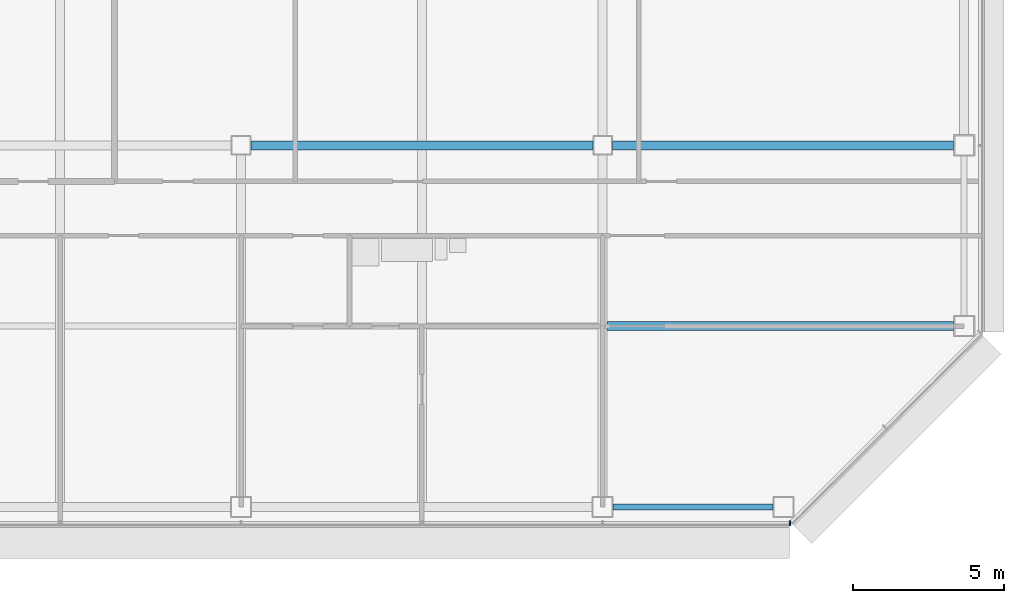
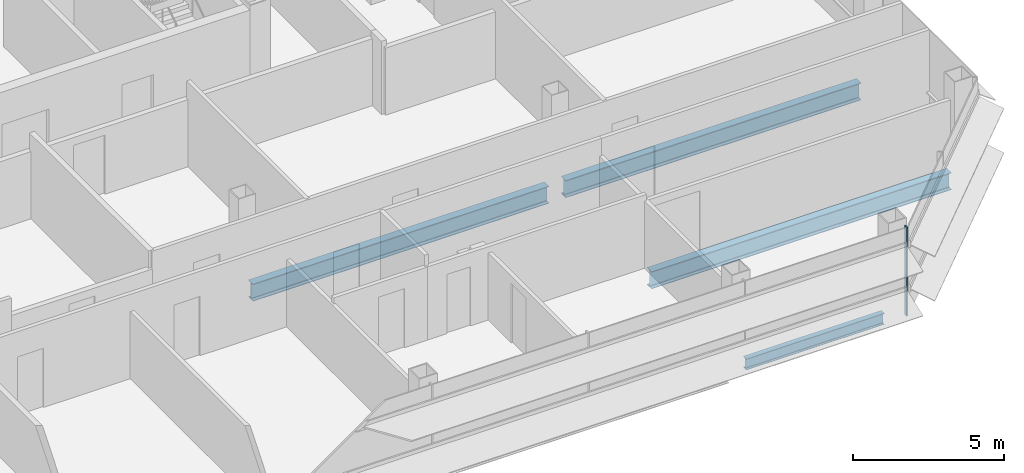
# One storey, part 9 of 26: 4 beams, 1 member, 1 element without a shape of its own.
"""IFC4 building model written with IfcOpenShell, lengths in metres."""

from ifc_helpers import new_model, si_unit, direction, frame, origin, origin_2d, place, context, subcontext, project, spatial, rectangle, i_section, extrude, material, material_profile, profile_set, type_object, element, aggregate, save


model = new_model("IFC4")

# Units and contexts
model_context = context("Model", 3, precision=1e-05, world=origin(), true_north=direction((0.0, 1.0)))
body_context = subcontext(model_context, "Body", "Model", "MODEL_VIEW")
ifc_project = project(units=[si_unit("LENGTHUNIT", "METRE"), si_unit("AREAUNIT", "SQUARE_METRE"), si_unit("VOLUMEUNIT", "CUBIC_METRE"), si_unit("PLANEANGLEUNIT", "RADIAN"), si_unit("MASSUNIT", "GRAM", prefix="KILO")], contexts=[model_context])

# Site, building, storey
site_placement = place(None, origin())
site = spatial("IfcSite", under=ifc_project, at=site_placement, CompositionType="ELEMENT")
building_placement = place(site_placement, origin())
building = spatial("IfcBuilding", under=site, at=building_placement, Name="Sorahane Residences", CompositionType="ELEMENT")
storey_placement = place(building_placement, frame((0.0, 0.0, 154.60009765625)))
storey = spatial("IfcBuildingStorey", under=building, at=storey_placement, Name="L35", CompositionType="ELEMENT", Elevation=154.60009765625)

# Curtain wall, member
ifc_material_1 = material(Name="Dark low-e glass and black anodised aluminium", Category="aluminium")
curtain_wall_type = type_object("IfcCurtainWallType", Name="Curtain wall CW-1 Typical unitised wall", PredefinedType="NOTDEFINED", material=ifc_material_1)
curtain_wall_placement = place(storey_placement, origin())
curtain_wall = element("IfcCurtainWall", 1, at=curtain_wall_placement, inside=storey, type_object=curtain_wall_type, Name="CW-1 curtain wall L35 S1", PredefinedType="NOTDEFINED")
ifc_material_2 = material(Name="Black anodised aluminium", Category="aluminium")
ifc_material_profile_1 = material_profile(ifc_material_2, rectangle(XDim=0.159912109375, YDim=0.050048828125, at=origin_2d()), Name="Curtain wall mullion CW-1 black anodised aluminium 50x160")
ifc_profile_set_1 = profile_set([ifc_material_profile_1], Name="Black anodised aluminium")
member_type = type_object("IfcMemberType", Name="Curtain wall mullion CW-1 black anodised aluminium 50x160", PredefinedType="MULLION", material=ifc_profile_set_1)
member_placement = place(storey_placement, frame((54.2236328125, -0.5400390625, -0.18017578125), z_axis=(0.0, 0.0, 1.0), x_axis=(0.0, -1.0, 0.0)))
member = element("IfcMember", 2, at=member_placement, type_object=member_type, Name="CW-1 mullion L35 S1.10", PredefinedType="MULLION", context=body_context, shape_type="SweptSolid", body=[
    extrude(rectangle(XDim=0.159912109375, YDim=0.050048828125, at=origin_2d()), origin(), (0.0, 0.0, 1.0), 3.60009765625),
])
aggregate(curtain_wall, [member])

# Beams
ifc_material_3 = material(Name="Steel Q355B", Category="steel")
ifc_material_profile_2 = material_profile(ifc_material_3, i_section(OverallWidth=0.199951171875, OverallDepth=0.449951171875, WebThickness=0.009033203125, FlangeThickness=0.013916015625, FilletRadius=0.02001953125, at=origin_2d()), Name="HN 450x200x9x14")
ifc_profile_set_2 = profile_set([ifc_material_profile_2], Name="Steel Q355B")
beam_type_1 = type_object("IfcBeamType", Name="Steel floor beam HN 450x200x9x14 Q355B", PredefinedType="BEAM", material=ifc_profile_set_2)
beam_1_placement = place(storey_placement, frame((48.35009765625, 0.0, -0.405029296875), z_axis=(1.0, 0.0, 0.0), x_axis=(0.0, 1.0, 0.0)))
element("IfcBeam", 3, at=beam_1_placement, inside=storey, type_object=beam_type_1, Name="Beam L35 004", PredefinedType="BEAM", context=body_context, shape_type="SweptSolid", body=[
    extrude(i_section(OverallWidth=0.199951171875, OverallDepth=0.449951171875, WebThickness=0.009033203125, FlangeThickness=0.013916015625, FilletRadius=0.02001953125, at=origin_2d()), origin(), (0.0, 0.0, 1.0), 5.2998046875),
])
ifc_material_4 = material(Name="Steel Q355B", Category="steel")
ifc_material_profile_3 = material_profile(ifc_material_4, i_section(OverallWidth=0.300048828125, OverallDepth=0.699951171875, WebThickness=0.012939453125, FlangeThickness=0.02392578125, FilletRadius=0.028076171875, at=origin_2d()), Name="HN 700x300x13x24")
ifc_profile_set_3 = profile_set([ifc_material_profile_3], Name="Steel Q355B")
beam_type_2 = type_object("IfcBeamType", Name="Steel floor beam HN 700x300x13x24 Q355B", PredefinedType="BEAM", material=ifc_profile_set_3)
beam_2_placement = place(storey_placement, frame((36.324951171875, 12.0, -0.530029296875), z_axis=(1.0, 0.0, 0.0), x_axis=(0.0, 1.0, 0.0)))
element("IfcBeam", 4, at=beam_2_placement, inside=storey, type_object=beam_type_2, Name="Beam L35 009", PredefinedType="BEAM", context=body_context, shape_type="SweptSolid", body=[
    extrude(i_section(OverallWidth=0.300048828125, OverallDepth=0.699951171875, WebThickness=0.012939453125, FlangeThickness=0.02392578125, FilletRadius=0.028076171875, at=origin_2d()), origin(), (0.0, 0.0, 1.0), 11.35009765625),
])
beam_3_placement = place(storey_placement, frame((48.324951171875, 12.0, -0.530029296875), z_axis=(1.0, 0.0, 0.0), x_axis=(0.0, 1.0, 0.0)))
element("IfcBeam", 5, at=beam_3_placement, inside=storey, type_object=beam_type_2, Name="Beam L35 010", PredefinedType="BEAM", context=body_context, shape_type="SweptSolid", body=[
    extrude(i_section(OverallWidth=0.300048828125, OverallDepth=0.699951171875, WebThickness=0.012939453125, FlangeThickness=0.02392578125, FilletRadius=0.028076171875, at=origin_2d()), origin(), (0.0, 0.0, 1.0), 11.324951171875),
])
beam_4_placement = place(storey_placement, frame((48.14990234375, 6.0, -0.530029296875), z_axis=(1.0, 0.0, 0.0), x_axis=(0.0, 1.0, 0.0)))
element("IfcBeam", 6, at=beam_4_placement, inside=storey, type_object=beam_type_2, Name="Beam L35 077", PredefinedType="BEAM", context=body_context, shape_type="SweptSolid", body=[
    extrude(i_section(OverallWidth=0.300048828125, OverallDepth=0.699951171875, WebThickness=0.012939453125, FlangeThickness=0.02392578125, FilletRadius=0.028076171875, at=origin_2d()), origin(), (0.0, 0.0, 1.0), 11.5),
])

save(model, "model.ifc")
